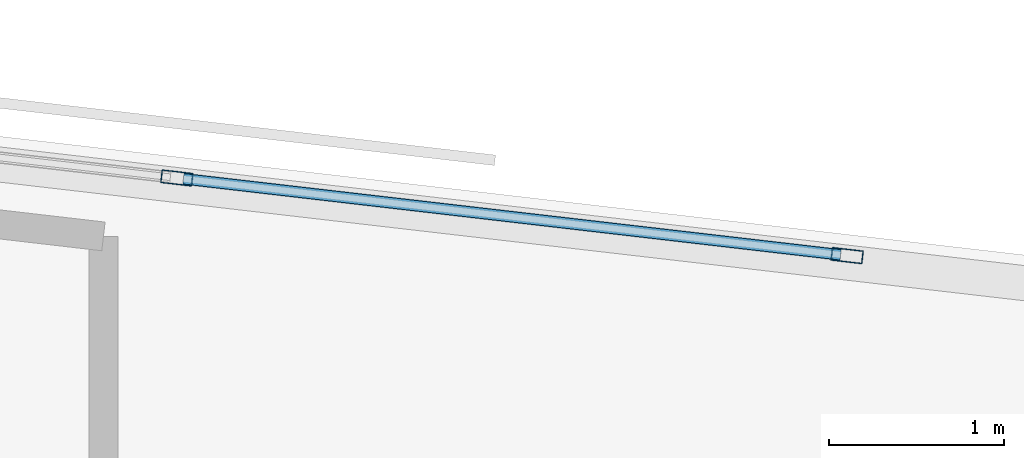
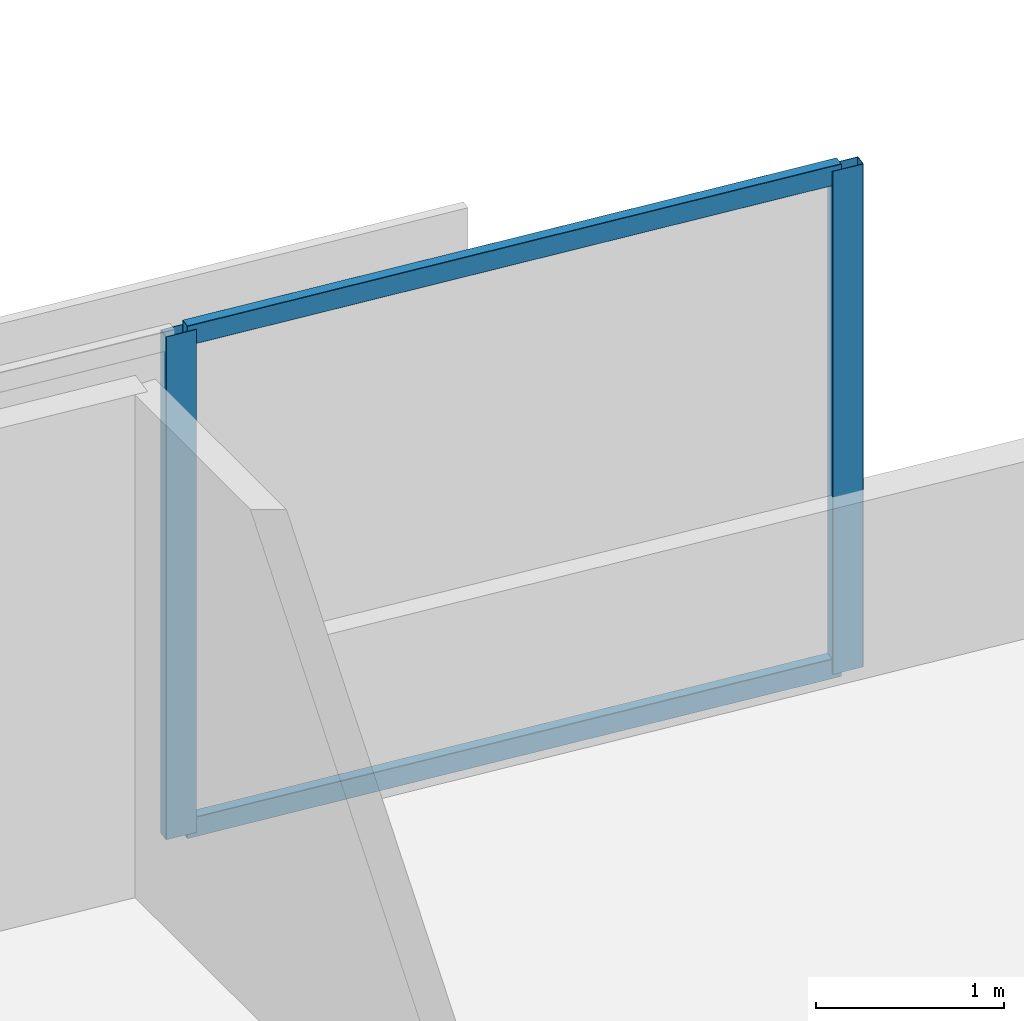
# One storey, part 2 of 13: 4 members, 1 element without a shape of its own.
"""IFC4 building model written with IfcOpenShell, lengths in metres."""

from ifc_helpers import new_model, si_unit, direction, frame, origin, origin_2d, place, context, subcontext, project, spatial, hollow_rectangle, extrude, material, material_profile, profile_set, type_object, element, aggregate, save


model = new_model("IFC4")

# Units and contexts
model_context = context("Model", 3, precision=1e-05, world=origin(), true_north=direction((0.0, 1.0)))
body_context = subcontext(model_context, "Body", "Model", "MODEL_VIEW")
ifc_project = project(units=[si_unit("LENGTHUNIT", "METRE"), si_unit("AREAUNIT", "SQUARE_METRE"), si_unit("VOLUMEUNIT", "CUBIC_METRE"), si_unit("PLANEANGLEUNIT", "RADIAN"), si_unit("MASSUNIT", "GRAM", prefix="KILO")], contexts=[model_context])

# Site, building, storey
site_placement = place(None, origin())
site = spatial("IfcSite", under=ifc_project, at=site_placement, CompositionType="ELEMENT")
building_placement = place(site_placement, origin())
building = spatial("IfcBuilding", under=site, at=building_placement, Name="Narakoshi Arena Tower", CompositionType="ELEMENT")
storey_placement = place(building_placement, frame((0.0, 0.0, 225.5400390625)))
storey = spatial("IfcBuildingStorey", under=building, at=storey_placement, Name="L61", CompositionType="ELEMENT", Elevation=225.5400390625)

# Curtain wall, members
ifc_material = material(Name="Anodised bronze aluminium 6063-T6", Category="aluminium")
curtain_wall_type = type_object("IfcCurtainWallType", Name="CW-HYP-MID", PredefinedType="NOTDEFINED", material=ifc_material)
curtain_wall_placement = place(storey_placement, origin())
curtain_wall = element("IfcCurtainWall", 1, at=curtain_wall_placement, inside=storey, type_object=curtain_wall_type, Name="L61 Folded Hypotenuse Curtain Wall 2-1", PredefinedType="NOTDEFINED")
ifc_material_profile_1 = material_profile(ifc_material, hollow_rectangle(XDim=0.074951171875, YDim=0.179931640625, WallThickness=0.00390625, OuterFilletRadius=0.0048828125, at=origin_2d()), Name="MUL180x75x4")
ifc_profile_set_1 = profile_set([ifc_material_profile_1], Name="Anodised bronze aluminium 6063-T6")
member_type_1 = type_object("IfcMemberType", Name="MEM-MUL-180", PredefinedType="MULLION", material=ifc_profile_set_1)
member_1_placement = place(storey_placement, frame((83.901611328125, 63.554931640625, 0.0), z_axis=(0.0, 0.0, 1.0), x_axis=(-0.115011296816, -0.993364183774, 0.0)))
member_1 = element("IfcMember", 2, at=member_1_placement, type_object=member_type_1, Name="CW-02 mullion 1", PredefinedType="MULLION", context=body_context, shape_type="SweptSolid", body=[
    extrude(hollow_rectangle(XDim=0.074951171875, YDim=0.179931640625, WallThickness=0.00390625, OuterFilletRadius=0.0048828125, at=origin_2d()), origin(), (0.0, 0.0, 1.0), 3.260009765625),
])
member_2_placement = place(storey_placement, frame((80.06982421875, 63.99853515625, 0.0), z_axis=(0.0, 0.0, 1.0), x_axis=(-0.115011296816, -0.993364183774, 0.0)))
member_2 = element("IfcMember", 3, at=member_2_placement, type_object=member_type_1, Name="CW-02 mullion 2", PredefinedType="MULLION", context=body_context, shape_type="SweptSolid", body=[
    extrude(hollow_rectangle(XDim=0.074951171875, YDim=0.179931640625, WallThickness=0.00390625, OuterFilletRadius=0.0048828125, at=origin_2d()), origin(), (0.0, 0.0, 1.0), 3.260009765625),
])
ifc_material_profile_2 = material_profile(ifc_material, hollow_rectangle(XDim=0.06494140625, YDim=0.1298828125, WallThickness=0.00390625, OuterFilletRadius=0.0048828125, at=origin_2d()), Name="TRN130x65x4")
ifc_profile_set_2 = profile_set([ifc_material_profile_2], Name="Anodised bronze aluminium 6063-T6")
member_type_2 = type_object("IfcMemberType", Name="MEM-TRN-130", PredefinedType="USERDEFINED", material=ifc_profile_set_2)
member_3_placement = place(storey_placement, frame((83.864501953125, 63.55908203125, 0.032470703125), z_axis=(-0.993363915753, 0.115013611713, 0.0), x_axis=(-0.115013611713, -0.993363915753, 0.0)))
member_3 = element("IfcMember", 4, at=member_3_placement, type_object=member_type_2, Name="CW-02 transom 1.1", ObjectType="TRANSOM", PredefinedType="USERDEFINED", context=body_context, shape_type="SweptSolid", body=[
    extrude(hollow_rectangle(XDim=0.06494140625, YDim=0.1298828125, WallThickness=0.00390625, OuterFilletRadius=0.0048828125, at=origin_2d()), origin(), (0.0, 0.0, 1.0), 3.78271484375),
])
member_4_placement = place(storey_placement, frame((83.864501953125, 63.55908203125, 3.2275390625), z_axis=(-0.993363915753, 0.115013611713, 0.0), x_axis=(-0.115013611713, -0.993363915753, 0.0)))
member_4 = element("IfcMember", 5, at=member_4_placement, type_object=member_type_2, Name="CW-02 transom 1.2", ObjectType="TRANSOM", PredefinedType="USERDEFINED", context=body_context, shape_type="SweptSolid", body=[
    extrude(hollow_rectangle(XDim=0.06494140625, YDim=0.1298828125, WallThickness=0.00390625, OuterFilletRadius=0.0048828125, at=origin_2d()), origin(), (0.0, 0.0, 1.0), 3.78271484375),
])
aggregate(curtain_wall, [member_1, member_2, member_3, member_4])

save(model, "model.ifc")
